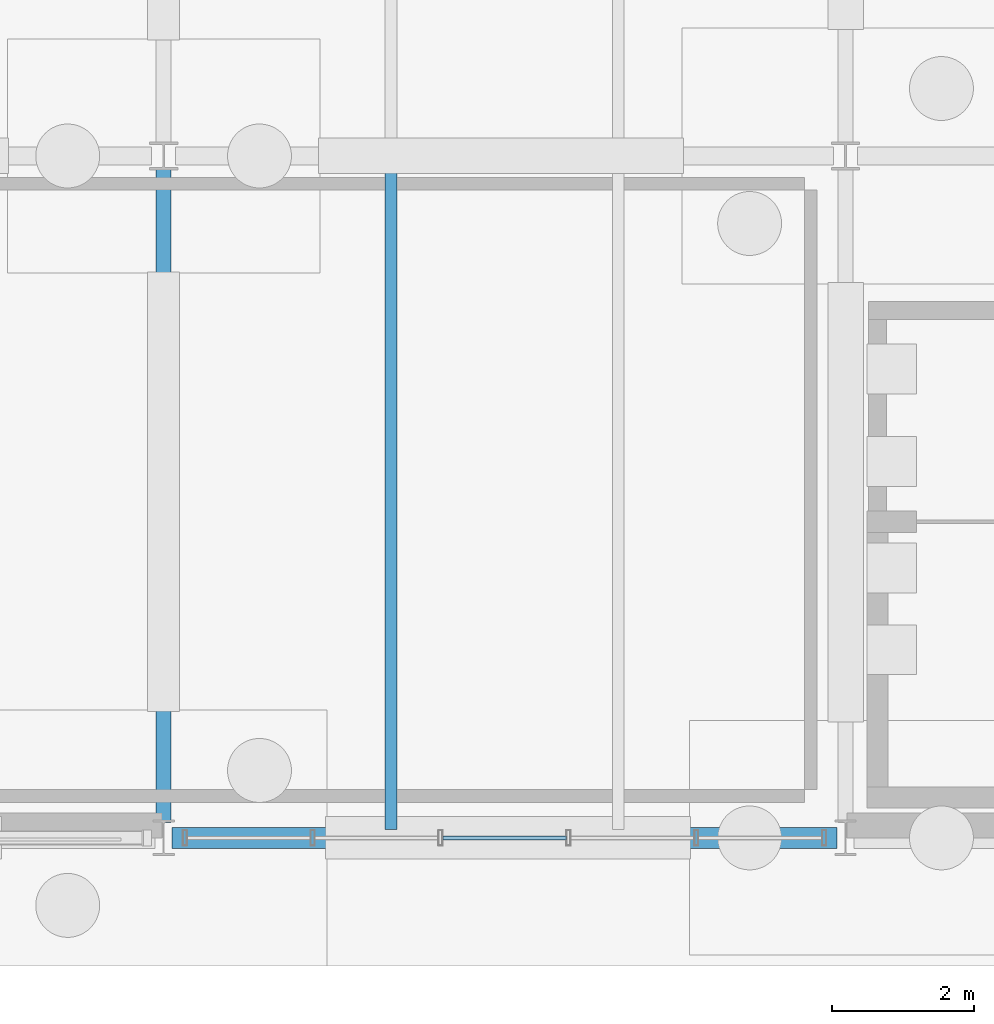
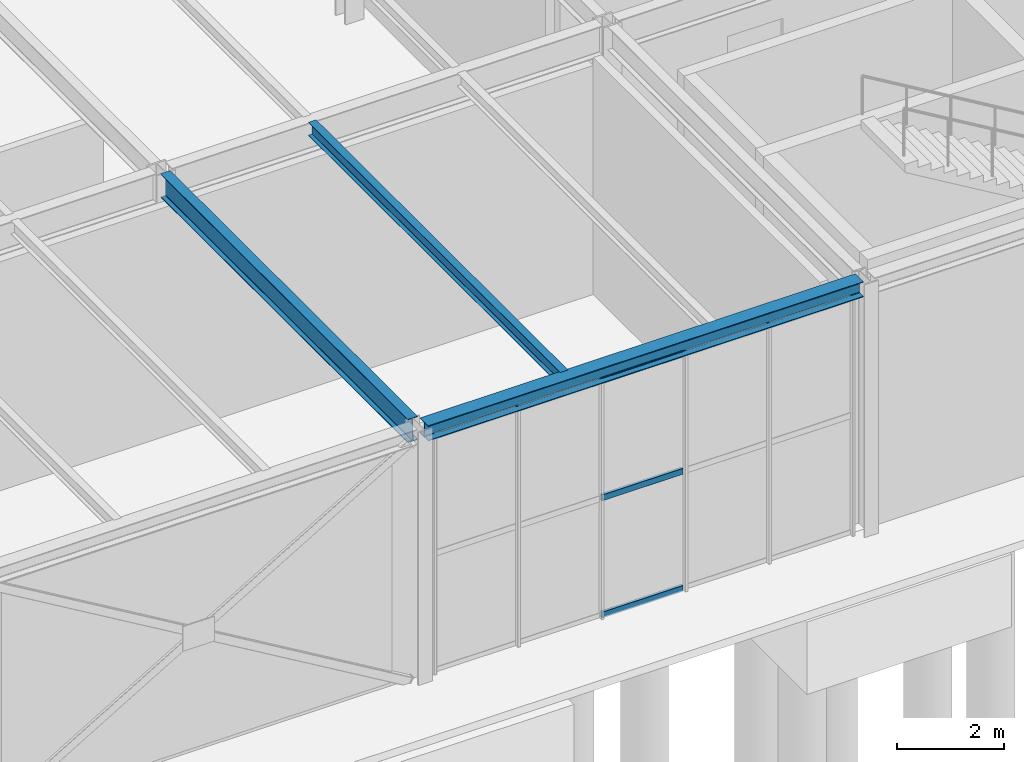
# One storey, part 32 of 142: 3 beams, 3 members, 1 element without a shape of its own.
"""IFC4 building model written with IfcOpenShell, lengths in metres."""

import ifcopenshell
import ifcopenshell.guid

model = None  # the IFC model being written
_history = None  # IfcOwnerHistory: only IFC2X3 demands one
_inside = {}  # id of a spatial element -> (the spatial element, [elements in it])
_under = {}  # id of a project, library or spatial element -> (it, [spatial elements below it])
_declared = {}  # id of a project -> (the project, [libraries it declares])
_typed = {}  # id of a type object -> (the type object, [elements of that type])
_made_of = {}  # id of a material, layer set ... -> (it, [elements and type objects made of it])


def new_model(schema):
    """Start an empty IFC model of exactly this schema.

    Asked for "IFC4X3", IfcOpenShell would pick the latest addendum, in which some entities
    have other attributes; the version numbers below select the first issue.
    IFC2X3 requires an IfcOwnerHistory on every rooted entity: one is made here for all.
    """
    global model, _history
    if schema == "IFC4X3":
        model = ifcopenshell.file(schema_version=(4, 3, 0, 0))
    else:
        model = ifcopenshell.file(schema=schema)
    _inside.clear()
    _under.clear()
    _declared.clear()
    _typed.clear()
    _made_of.clear()
    _history = None
    if model.schema == "IFC2X3":
        org = make("IfcOrganization", Name="unknown")
        user = make(
            "IfcPersonAndOrganization",
            ThePerson=make("IfcPerson", FamilyName="unknown"),
            TheOrganization=org,
        )
        app = make(
            "IfcApplication",
            ApplicationDeveloper=org,
            Version="unknown",
            ApplicationFullName="unknown",
            ApplicationIdentifier="unknown",
        )
        _history = make(
            "IfcOwnerHistory",
            OwningUser=user,
            OwningApplication=app,
            ChangeAction="ADDED",
            CreationDate=0,
        )
    return model


def make(cls, **values):
    """One entity of the class cls with the attributes given. An attribute that is None is left unset."""
    return model.create_entity(
        cls, **{name: value for name, value in values.items() if value is not None}
    )


def rooted(cls, **values):
    """An entity with a GlobalId (a new one), such as an element, a storey or a relation."""
    return make(cls, GlobalId=ifcopenshell.guid.new(), OwnerHistory=_history, **values)


def si_unit(unit_type, name, prefix=None):
    """IfcSIUnit, for example si_unit("LENGTHUNIT", "METRE", prefix="MILLI")."""
    return make("IfcSIUnit", UnitType=unit_type, Prefix=prefix, Name=name)


def assignment(units):
    """IfcUnitAssignment: the units of a project."""
    return None if units is None else make("IfcUnitAssignment", Units=units)


def point(xyz):
    """IfcCartesianPoint."""
    return None if xyz is None else make("IfcCartesianPoint", Coordinates=xyz)


def direction(xyz):
    """IfcDirection."""
    return None if xyz is None else make("IfcDirection", DirectionRatios=xyz)


def frame(location, z_axis=None, x_axis=None):
    """IfcAxis2Placement3D, a coordinate frame: its origin and axes. An axis left out is left unset."""
    return make(
        "IfcAxis2Placement3D",
        Location=point(location),
        Axis=direction(z_axis),
        RefDirection=direction(x_axis),
    )


def frame_2d(location, x_axis=None):
    """IfcAxis2Placement2D, a coordinate frame in the plane: its origin and x axis."""
    return make(
        "IfcAxis2Placement2D", Location=point(location), RefDirection=direction(x_axis)
    )


def origin():
    """The frame at (0, 0, 0) with its axes left unset."""
    return frame((0.0, 0.0, 0.0))


def origin_2d():
    """The frame at (0, 0) in the plane with its x axis left unset."""
    return frame_2d((0.0, 0.0))


def place(relative_to, where):
    """IfcLocalPlacement: puts the frame where relative to a parent placement (None: the world)."""
    return make(
        "IfcLocalPlacement", PlacementRelTo=relative_to, RelativePlacement=where
    )


def context(
    kind, dimensions, precision=None, world=None, true_north=None, identifier=None
):
    """IfcGeometricRepresentationContext, for example the 3D "Model" context."""
    return make(
        "IfcGeometricRepresentationContext",
        ContextIdentifier=identifier,
        ContextType=kind,
        CoordinateSpaceDimension=dimensions,
        Precision=precision,
        WorldCoordinateSystem=world,
        TrueNorth=true_north,
    )


def subcontext(parent, identifier, kind, view, scale=None):
    """IfcGeometricRepresentationSubContext, for example "Body" below "Model"."""
    return make(
        "IfcGeometricRepresentationSubContext",
        ContextIdentifier=identifier,
        ContextType=kind,
        ParentContext=parent,
        TargetScale=scale,
        TargetView=view,
    )


def project(units=None, contexts=None):
    """IfcProject with its units and contexts."""
    return rooted(
        "IfcProject",
        Name="project",
        RepresentationContexts=contexts,
        UnitsInContext=assignment(units),
    )


def spatial(cls, under=None, at=None, **own):
    """A site, building, storey or space (cls), placed at a placement, below another one or the project."""
    s = rooted(cls, ObjectPlacement=at, **own)
    if under is not None:
        _under.setdefault(under.id(), (under, []))[1].append(s)
    return s


def profile(cls, at=None, kind="AREA", **sizes):
    """A parametric profile (cls). Its sizes go by their IFC names, for example OverallWidth=200.0."""
    return make(cls, ProfileType=kind, Position=at, **sizes)


def hollow_rectangle(**sizes):
    """IfcRectangleHollowProfileDef."""
    return profile("IfcRectangleHollowProfileDef", **sizes)


def i_section(**sizes):
    """IfcIShapeProfileDef."""
    return profile("IfcIShapeProfileDef", **sizes)


def extrude(swept, where, along, depth):
    """IfcExtrudedAreaSolid: the profile swept, set in the frame where, extruded along a direction by depth."""
    return make(
        "IfcExtrudedAreaSolid",
        SweptArea=swept,
        Position=where,
        ExtrudedDirection=direction(along),
        Depth=depth,
    )


def shape(context_of_items, identifier, shape_type, items):
    """IfcShapeRepresentation: the items that make up one representation, for example the "Body"."""
    return make(
        "IfcShapeRepresentation",
        ContextOfItems=context_of_items,
        RepresentationIdentifier=identifier,
        RepresentationType=shape_type,
        Items=items,
    )


def material(Name=None, Category=None):
    """IfcMaterial."""
    return make("IfcMaterial", Name=Name, Category=Category)


def material_profile(
    of_material, cross_section, Name=None, Category=None, Priority=None
):
    """IfcMaterialProfile: a cross section and its material."""
    return make(
        "IfcMaterialProfile",
        Name=Name,
        Material=of_material,
        Profile=cross_section,
        Priority=Priority,
        Category=Category,
    )


def profile_set(profiles, Name=None, composite=None):
    """IfcMaterialProfileSet."""
    return make(
        "IfcMaterialProfileSet",
        Name=Name,
        MaterialProfiles=profiles,
        CompositeProfile=composite,
    )


def made_of(thing, what):
    """Note that an element or type object is made of a material, layer set ...; save() writes the relation."""
    if what is not None:
        _made_of.setdefault(what.id(), (what, []))[1].append(thing)
    return thing


def type_object(cls, material=None, **own):
    """A type object (cls), such as IfcWallType, which elements share."""
    return made_of(rooted(cls, **own), material)


def element(
    cls,
    number,
    at=None,
    inside=None,
    cuts=None,
    type_object=None,
    material=None,
    context=None,
    identifier="Body",
    shape_type=None,
    held_by="IfcProductDefinitionShape",
    body=None,
    shapes=None,
    **own,
):
    """One element of the class cls, such as IfcWall. Its Tag is "e" and its number.

    at: its placement. inside: the storey or other place that contains it. cuts: it is an
    opening in that element (IfcRelVoidsElement). A single representation is given by context,
    identifier, shape_type and body (its items); several are given by shapes. held_by: the class
    of the entity that holds the representations. save() writes the other relations.
    """
    e = rooted(cls, Tag="e%d" % number, ObjectPlacement=at, **own)
    if body is not None:
        shapes = [shape(context, identifier, shape_type, body)]
    if shapes is not None:
        e.Representation = make(held_by, Representations=shapes)
    if inside is not None:
        _inside.setdefault(inside.id(), (inside, []))[1].append(e)
    if cuts is not None:
        rooted(
            "IfcRelVoidsElement", RelatingBuildingElement=cuts, RelatedOpeningElement=e
        )
    if type_object is not None:
        _typed.setdefault(type_object.id(), (type_object, []))[1].append(e)
    return made_of(e, material)


def aggregate(whole, parts):
    """IfcRelAggregates: a whole, such as a stair, and the parts it consists of."""
    return rooted("IfcRelAggregates", RelatingObject=whole, RelatedObjects=parts)


def save(model, path):
    """Write the relations noted so far, then the file.

    IfcRelAggregates (storeys below a building ...), IfcRelContainedInSpatialStructure (elements
    in a storey), IfcRelDefinesByType, IfcRelAssociatesMaterial and IfcRelDeclares: one each for
    every whole, place, type object, material and project.
    """
    for whole, parts in _under.values():
        aggregate(whole, parts)
    for where, things in _inside.values():
        rooted(
            "IfcRelContainedInSpatialStructure",
            RelatedElements=things,
            RelatingStructure=where,
        )
    for kind, things in _typed.values():
        rooted("IfcRelDefinesByType", RelatedObjects=things, RelatingType=kind)
    for what, things in _made_of.values():
        rooted("IfcRelAssociatesMaterial", RelatedObjects=things, RelatingMaterial=what)
    for by, libraries in _declared.values():
        rooted("IfcRelDeclares", RelatingContext=by, RelatedDefinitions=libraries)
    model.write(path)


model = new_model("IFC4")

# Units and contexts
model_context = context("Model", 3, precision=1e-05, world=origin(), true_north=direction((0.0, 1.0)))
body_context = subcontext(model_context, "Body", "Model", "MODEL_VIEW")
ifc_project = project(units=[si_unit("LENGTHUNIT", "METRE"), si_unit("AREAUNIT", "SQUARE_METRE"), si_unit("VOLUMEUNIT", "CUBIC_METRE"), si_unit("PLANEANGLEUNIT", "RADIAN"), si_unit("MASSUNIT", "GRAM", prefix="KILO")], contexts=[model_context])

# Site, building, storey
site_placement = place(None, origin())
site = spatial("IfcSite", under=ifc_project, at=site_placement, CompositionType="ELEMENT")
building_placement = place(site_placement, origin())
building = spatial("IfcBuilding", under=site, at=building_placement, Name="Coralgate Yard Interchange", CompositionType="ELEMENT")
storey_placement = place(building_placement, origin())
storey = spatial("IfcBuildingStorey", under=building, at=storey_placement, Name="L00", CompositionType="ELEMENT", Elevation=0.0)

# Beams
ifc_material_1 = material(Name="Structural steel S355J2", Category="steel")
ifc_material_profile_1 = material_profile(ifc_material_1, i_section(OverallWidth=0.209228515625, OverallDepth=0.533203125, WebThickness=0.010009765625, FlangeThickness=0.015625, FilletRadius=0.0126953125, at=origin_2d()), Name="UB 533x210x92")
ifc_profile_set_1 = profile_set([ifc_material_profile_1], Name="Structural steel S355J2")
beam_type_1 = type_object("IfcBeamType", Name="BM-SB-1", PredefinedType="BEAM", material=ifc_profile_set_1)
beam_1_placement = place(storey_placement, frame((9.60009765625, 0.219970703125, 5.4833984375), z_axis=(0.0, 1.0, 0.0), x_axis=(-1.0, 0.0, 0.0)))
element("IfcBeam", 1, at=beam_1_placement, inside=storey, type_object=beam_type_1, Name="L00 primary grid girder X1 Y0-1", PredefinedType="BEAM", context=body_context, shape_type="SweptSolid", body=[
    extrude(i_section(OverallWidth=0.209228515625, OverallDepth=0.533203125, WebThickness=0.010009765625, FlangeThickness=0.015625, FilletRadius=0.0126953125, at=origin_2d()), origin(), (0.0, 0.0, 1.0), 9.213134765625),
])
ifc_material_profile_2 = material_profile(ifc_material_1, i_section(OverallWidth=0.1650390625, OverallDepth=0.303466796875, WebThickness=0.006103515625, FlangeThickness=0.01025390625, FilletRadius=0.0087890625, at=origin_2d()), Name="UB 305x165x40")
ifc_profile_set_2 = profile_set([ifc_material_profile_2], Name="Structural steel S355J2")
beam_type_2 = type_object("IfcBeamType", Name="BM-SJ-1", PredefinedType="JOIST", material=ifc_profile_set_2)
beam_2_placement = place(storey_placement, frame((12.800048828125, 0.1201171875, 5.598388671875), z_axis=(0.0, 1.0, 0.0), x_axis=(-1.0, 0.0, 0.0)))
element("IfcBeam", 2, at=beam_2_placement, inside=storey, type_object=beam_type_2, Name="L00 composite floor joist 1-0-1", PredefinedType="JOIST", context=body_context, shape_type="SweptSolid", body=[
    extrude(i_section(OverallWidth=0.1650390625, OverallDepth=0.303466796875, WebThickness=0.006103515625, FlangeThickness=0.01025390625, FilletRadius=0.0087890625, at=origin_2d()), origin(), (0.0, 0.0, 1.0), 9.383056640625),
])
ifc_material_profile_3 = material_profile(ifc_material_1, i_section(OverallWidth=0.300048828125, OverallDepth=0.35009765625, WebThickness=0.010009765625, FlangeThickness=0.017578125, FilletRadius=0.027099609375, at=origin_2d()), Name="HEA 360")
ifc_profile_set_3 = profile_set([ifc_material_profile_3], Name="Structural steel S355J2")
beam_type_3 = type_object("IfcBeamType", Name="BM-SP-1", PredefinedType="SPANDREL", material=ifc_profile_set_3)
beam_3_placement = place(storey_placement, frame((9.719970703125, 0.0, 5.574951171875), z_axis=(1.0, 0.0, 0.0), x_axis=(0.0, 1.0, 0.0)))
element("IfcBeam", 3, at=beam_3_placement, inside=storey, type_object=beam_type_3, Name="L00 primary grid beam Y0 X1-2", PredefinedType="SPANDREL", context=body_context, shape_type="SweptSolid", body=[
    extrude(i_section(OverallWidth=0.300048828125, OverallDepth=0.35009765625, WebThickness=0.010009765625, FlangeThickness=0.017578125, FilletRadius=0.027099609375, at=origin_2d()), origin(), (0.0, 0.0, 1.0), 9.360107421875),
])

# Curtain wall, members
ifc_material_2 = material(Name="Anodised coastal aluminium and solar-control low-E glass", Category="aluminium")
curtain_wall_type = type_object("IfcCurtainWallType", Name="CW-CW-L00-A", PredefinedType="NOTDEFINED", material=ifc_material_2)
curtain_wall_placement = place(storey_placement, origin())
curtain_wall = element("IfcCurtainWall", 4, at=curtain_wall_placement, inside=storey, type_object=curtain_wall_type, Name="L00 unitised curtain wall CW-L00-S-01-00", PredefinedType="NOTDEFINED")
ifc_material_3 = material(Name="Anodised coastal aluminium 6063-T6", Category="aluminium")
ifc_material_profile_4 = material_profile(ifc_material_3, hollow_rectangle(XDim=0.06005859375, YDim=0.139892578125, WallThickness=0.00341796875, InnerFilletRadius=0.00341796875, OuterFilletRadius=0.007080078125, at=origin_2d()), Name="ALU 60x140x3.5")
ifc_profile_set_4 = profile_set([ifc_material_profile_4], Name="Anodised coastal aluminium 6063-T6")
member_type = type_object("IfcMemberType", Name="MB-TRN-140", PredefinedType="USERDEFINED", material=ifc_profile_set_4)
member_1_placement = place(storey_placement, frame((15.27001953125, 0.0, 0.034912109375), z_axis=(-1.0, 0.0, 0.0), x_axis=(0.0, -1.0, 0.0)))
member_1 = element("IfcMember", 5, at=member_1_placement, type_object=member_type, Name="CW-L00-S-01-00 horizontal transom 3-1", ObjectType="TRANSOM", PredefinedType="USERDEFINED", context=body_context, shape_type="SweptSolid", body=[
    extrude(hollow_rectangle(XDim=0.06005859375, YDim=0.139892578125, WallThickness=0.00341796875, InnerFilletRadius=0.00341796875, OuterFilletRadius=0.007080078125, at=origin_2d()), origin(), (0.0, 0.0, 1.0), 1.739990234375),
])
member_2_placement = place(storey_placement, frame((15.27001953125, 0.0, 2.699951171875), z_axis=(-1.0, 0.0, 0.0), x_axis=(0.0, -1.0, 0.0)))
member_2 = element("IfcMember", 6, at=member_2_placement, type_object=member_type, Name="CW-L00-S-01-00 horizontal transom 3-2", ObjectType="TRANSOM", PredefinedType="USERDEFINED", context=body_context, shape_type="SweptSolid", body=[
    extrude(hollow_rectangle(XDim=0.06005859375, YDim=0.139892578125, WallThickness=0.00341796875, InnerFilletRadius=0.00341796875, OuterFilletRadius=0.007080078125, at=origin_2d()), origin(), (0.0, 0.0, 1.0), 1.739990234375),
])
member_3_placement = place(storey_placement, frame((15.27001953125, 0.0, 5.364990234375), z_axis=(-1.0, 0.0, 0.0), x_axis=(0.0, -1.0, 0.0)))
member_3 = element("IfcMember", 7, at=member_3_placement, type_object=member_type, Name="CW-L00-S-01-00 horizontal transom 3-3", ObjectType="TRANSOM", PredefinedType="USERDEFINED", context=body_context, shape_type="SweptSolid", body=[
    extrude(hollow_rectangle(XDim=0.06005859375, YDim=0.139892578125, WallThickness=0.00341796875, InnerFilletRadius=0.00341796875, OuterFilletRadius=0.007080078125, at=origin_2d()), origin(), (0.0, 0.0, 1.0), 1.739990234375),
])
aggregate(curtain_wall, [member_1, member_2, member_3])

save(model, "model.ifc")
